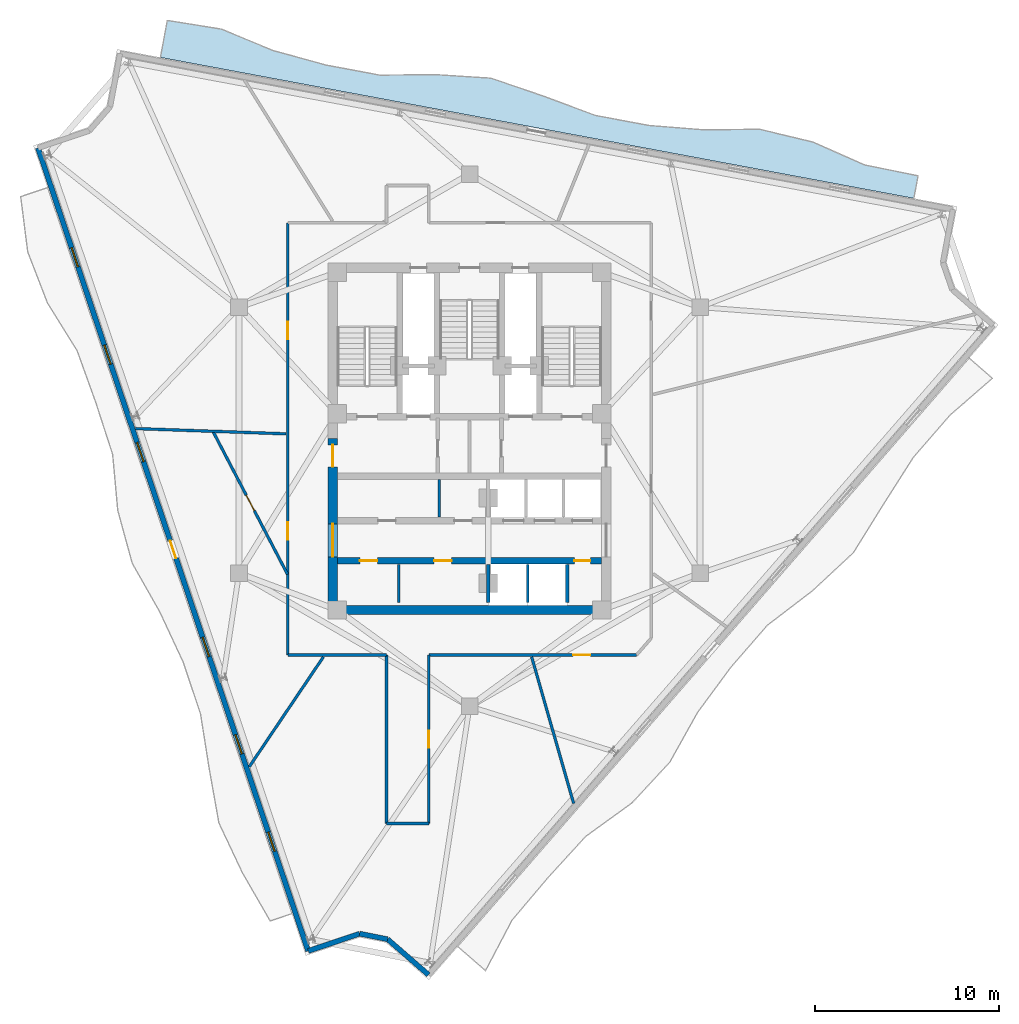
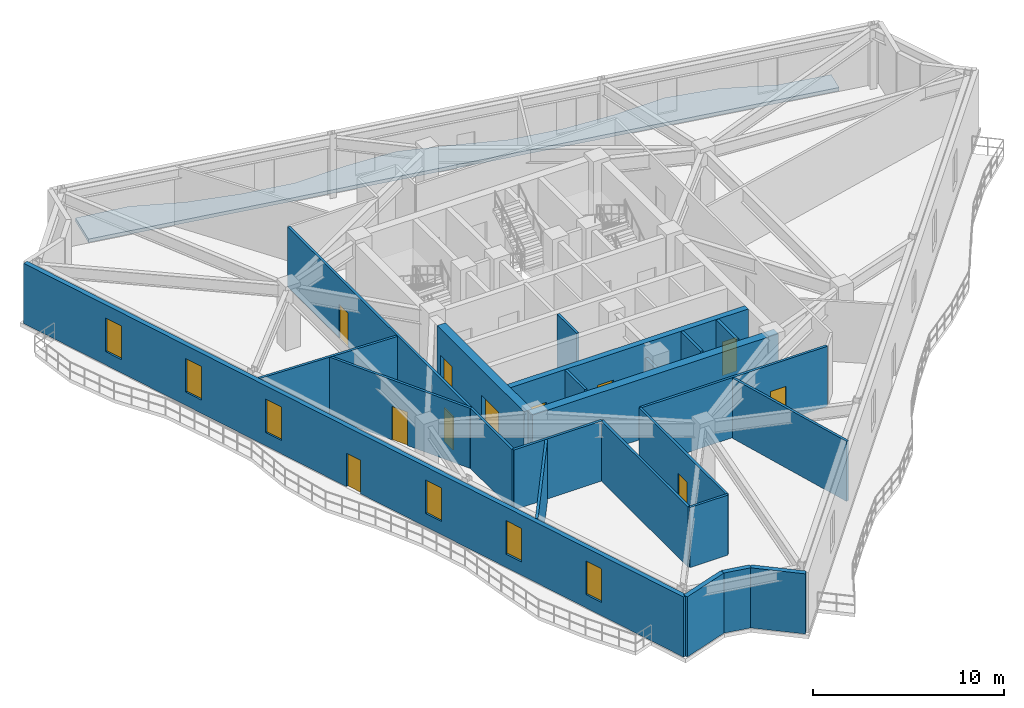
# One storey, part 4 of 9: 22 walls, 11 doors, 6 windows, 1 slab, 17 openings.
"""IFC4 building model written with IfcOpenShell, lengths in metres."""

import ifcopenshell
import ifcopenshell.guid

model = None  # the IFC model being written
_history = None  # IfcOwnerHistory: only IFC2X3 demands one
_inside = {}  # id of a spatial element -> (the spatial element, [elements in it])
_under = {}  # id of a project, library or spatial element -> (it, [spatial elements below it])
_declared = {}  # id of a project -> (the project, [libraries it declares])
_typed = {}  # id of a type object -> (the type object, [elements of that type])
_made_of = {}  # id of a material, layer set ... -> (it, [elements and type objects made of it])


def new_model(schema):
    """Start an empty IFC model of exactly this schema.

    Asked for "IFC4X3", IfcOpenShell would pick the latest addendum, in which some entities
    have other attributes; the version numbers below select the first issue.
    IFC2X3 requires an IfcOwnerHistory on every rooted entity: one is made here for all.
    """
    global model, _history
    if schema == "IFC4X3":
        model = ifcopenshell.file(schema_version=(4, 3, 0, 0))
    else:
        model = ifcopenshell.file(schema=schema)
    _inside.clear()
    _under.clear()
    _declared.clear()
    _typed.clear()
    _made_of.clear()
    _history = None
    if model.schema == "IFC2X3":
        org = make("IfcOrganization", Name="unknown")
        user = make(
            "IfcPersonAndOrganization",
            ThePerson=make("IfcPerson", FamilyName="unknown"),
            TheOrganization=org,
        )
        app = make(
            "IfcApplication",
            ApplicationDeveloper=org,
            Version="unknown",
            ApplicationFullName="unknown",
            ApplicationIdentifier="unknown",
        )
        _history = make(
            "IfcOwnerHistory",
            OwningUser=user,
            OwningApplication=app,
            ChangeAction="ADDED",
            CreationDate=0,
        )
    return model


def make(cls, **values):
    """One entity of the class cls with the attributes given. An attribute that is None is left unset."""
    return model.create_entity(
        cls, **{name: value for name, value in values.items() if value is not None}
    )


def rooted(cls, **values):
    """An entity with a GlobalId (a new one), such as an element, a storey or a relation."""
    return make(cls, GlobalId=ifcopenshell.guid.new(), OwnerHistory=_history, **values)


def si_unit(unit_type, name, prefix=None):
    """IfcSIUnit, for example si_unit("LENGTHUNIT", "METRE", prefix="MILLI")."""
    return make("IfcSIUnit", UnitType=unit_type, Prefix=prefix, Name=name)


def assignment(units):
    """IfcUnitAssignment: the units of a project."""
    return None if units is None else make("IfcUnitAssignment", Units=units)


def point(xyz):
    """IfcCartesianPoint."""
    return None if xyz is None else make("IfcCartesianPoint", Coordinates=xyz)


def direction(xyz):
    """IfcDirection."""
    return None if xyz is None else make("IfcDirection", DirectionRatios=xyz)


def frame(location, z_axis=None, x_axis=None):
    """IfcAxis2Placement3D, a coordinate frame: its origin and axes. An axis left out is left unset."""
    return make(
        "IfcAxis2Placement3D",
        Location=point(location),
        Axis=direction(z_axis),
        RefDirection=direction(x_axis),
    )


def frame_2d(location, x_axis=None):
    """IfcAxis2Placement2D, a coordinate frame in the plane: its origin and x axis."""
    return make(
        "IfcAxis2Placement2D", Location=point(location), RefDirection=direction(x_axis)
    )


def origin():
    """The frame at (0, 0, 0) with its axes left unset."""
    return frame((0.0, 0.0, 0.0))


def place(relative_to, where):
    """IfcLocalPlacement: puts the frame where relative to a parent placement (None: the world)."""
    return make(
        "IfcLocalPlacement", PlacementRelTo=relative_to, RelativePlacement=where
    )


def context(
    kind, dimensions, precision=None, world=None, true_north=None, identifier=None
):
    """IfcGeometricRepresentationContext, for example the 3D "Model" context."""
    return make(
        "IfcGeometricRepresentationContext",
        ContextIdentifier=identifier,
        ContextType=kind,
        CoordinateSpaceDimension=dimensions,
        Precision=precision,
        WorldCoordinateSystem=world,
        TrueNorth=true_north,
    )


def subcontext(parent, identifier, kind, view, scale=None):
    """IfcGeometricRepresentationSubContext, for example "Body" below "Model"."""
    return make(
        "IfcGeometricRepresentationSubContext",
        ContextIdentifier=identifier,
        ContextType=kind,
        ParentContext=parent,
        TargetScale=scale,
        TargetView=view,
    )


def project(units=None, contexts=None):
    """IfcProject with its units and contexts."""
    return rooted(
        "IfcProject",
        Name="project",
        RepresentationContexts=contexts,
        UnitsInContext=assignment(units),
    )


def spatial(cls, under=None, at=None, **own):
    """A site, building, storey or space (cls), placed at a placement, below another one or the project."""
    s = rooted(cls, ObjectPlacement=at, **own)
    if under is not None:
        _under.setdefault(under.id(), (under, []))[1].append(s)
    return s


def polyline(points):
    """IfcPolyline through the points."""
    return make("IfcPolyline", Points=[point(p) for p in points])


def profile(cls, at=None, kind="AREA", **sizes):
    """A parametric profile (cls). Its sizes go by their IFC names, for example OverallWidth=200.0."""
    return make(cls, ProfileType=kind, Position=at, **sizes)


def rectangle(**sizes):
    """IfcRectangleProfileDef."""
    return profile("IfcRectangleProfileDef", **sizes)


def outline(outer, holes=None, kind="AREA"):
    """IfcArbitraryClosedProfileDef: a profile drawn as a closed curve; with holes, ...WithVoids."""
    if holes is None:
        return make("IfcArbitraryClosedProfileDef", ProfileType=kind, OuterCurve=outer)
    return make(
        "IfcArbitraryProfileDefWithVoids",
        ProfileType=kind,
        OuterCurve=outer,
        InnerCurves=holes,
    )


def extrude(swept, where, along, depth):
    """IfcExtrudedAreaSolid: the profile swept, set in the frame where, extruded along a direction by depth."""
    return make(
        "IfcExtrudedAreaSolid",
        SweptArea=swept,
        Position=where,
        ExtrudedDirection=direction(along),
        Depth=depth,
    )


def shape(context_of_items, identifier, shape_type, items):
    """IfcShapeRepresentation: the items that make up one representation, for example the "Body"."""
    return make(
        "IfcShapeRepresentation",
        ContextOfItems=context_of_items,
        RepresentationIdentifier=identifier,
        RepresentationType=shape_type,
        Items=items,
    )


def material(Name=None, Category=None):
    """IfcMaterial."""
    return make("IfcMaterial", Name=Name, Category=Category)


def layer(
    of_material, thickness, ventilated=None, Name=None, Category=None, Priority=None
):
    """IfcMaterialLayer: one layer of a wall or slab, of a material (None: an air gap)."""
    return make(
        "IfcMaterialLayer",
        Material=of_material,
        LayerThickness=thickness,
        IsVentilated=ventilated,
        Name=Name,
        Category=Category,
        Priority=Priority,
    )


def layer_set(layers, Name=None):
    """IfcMaterialLayerSet."""
    return make("IfcMaterialLayerSet", MaterialLayers=layers, LayerSetName=Name)


def made_of(thing, what):
    """Note that an element or type object is made of a material, layer set ...; save() writes the relation."""
    if what is not None:
        _made_of.setdefault(what.id(), (what, []))[1].append(thing)
    return thing


def type_object(cls, material=None, **own):
    """A type object (cls), such as IfcWallType, which elements share."""
    return made_of(rooted(cls, **own), material)


def element(
    cls,
    number,
    at=None,
    inside=None,
    cuts=None,
    type_object=None,
    material=None,
    context=None,
    identifier="Body",
    shape_type=None,
    held_by="IfcProductDefinitionShape",
    body=None,
    shapes=None,
    **own,
):
    """One element of the class cls, such as IfcWall. Its Tag is "e" and its number.

    at: its placement. inside: the storey or other place that contains it. cuts: it is an
    opening in that element (IfcRelVoidsElement). A single representation is given by context,
    identifier, shape_type and body (its items); several are given by shapes. held_by: the class
    of the entity that holds the representations. save() writes the other relations.
    """
    e = rooted(cls, Tag="e%d" % number, ObjectPlacement=at, **own)
    if body is not None:
        shapes = [shape(context, identifier, shape_type, body)]
    if shapes is not None:
        e.Representation = make(held_by, Representations=shapes)
    if inside is not None:
        _inside.setdefault(inside.id(), (inside, []))[1].append(e)
    if cuts is not None:
        rooted(
            "IfcRelVoidsElement", RelatingBuildingElement=cuts, RelatedOpeningElement=e
        )
    if type_object is not None:
        _typed.setdefault(type_object.id(), (type_object, []))[1].append(e)
    return made_of(e, material)


def fill(opening, filler):
    """IfcRelFillsElement: the door or window that sits in an opening."""
    return rooted(
        "IfcRelFillsElement",
        RelatingOpeningElement=opening,
        RelatedBuildingElement=filler,
    )


def aggregate(whole, parts):
    """IfcRelAggregates: a whole, such as a stair, and the parts it consists of."""
    return rooted("IfcRelAggregates", RelatingObject=whole, RelatedObjects=parts)


def save(model, path):
    """Write the relations noted so far, then the file.

    IfcRelAggregates (storeys below a building ...), IfcRelContainedInSpatialStructure (elements
    in a storey), IfcRelDefinesByType, IfcRelAssociatesMaterial and IfcRelDeclares: one each for
    every whole, place, type object, material and project.
    """
    for whole, parts in _under.values():
        aggregate(whole, parts)
    for where, things in _inside.values():
        rooted(
            "IfcRelContainedInSpatialStructure",
            RelatedElements=things,
            RelatingStructure=where,
        )
    for kind, things in _typed.values():
        rooted("IfcRelDefinesByType", RelatedObjects=things, RelatingType=kind)
    for what, things in _made_of.values():
        rooted("IfcRelAssociatesMaterial", RelatedObjects=things, RelatingMaterial=what)
    for by, libraries in _declared.values():
        rooted("IfcRelDeclares", RelatingContext=by, RelatedDefinitions=libraries)
    model.write(path)


model = new_model("IFC4")

# Units and contexts
model_context = context("Model", 3, precision=1e-05, world=origin(), true_north=direction((0.0, 1.0)))
body_context = subcontext(model_context, "Body", "Model", "MODEL_VIEW")
ifc_project = project(units=[si_unit("LENGTHUNIT", "METRE"), si_unit("AREAUNIT", "SQUARE_METRE"), si_unit("VOLUMEUNIT", "CUBIC_METRE"), si_unit("PLANEANGLEUNIT", "RADIAN"), si_unit("MASSUNIT", "GRAM", prefix="KILO")], contexts=[model_context])

# Site, building, storey
site_placement = place(None, origin())
site = spatial("IfcSite", under=ifc_project, at=site_placement, CompositionType="ELEMENT")
building_placement = place(site_placement, origin())
building = spatial("IfcBuilding", under=site, at=building_placement, Name="Apsidion Concourse Tower", CompositionType="ELEMENT")
storey_placement = place(building_placement, frame((0.0, 0.0, 273.699951171875)))
storey = spatial("IfcBuildingStorey", under=building, at=storey_placement, Name="L64", CompositionType="ELEMENT", Elevation=273.699951171875)

# Slab
ifc_material_1 = material(Name="Concrete C50/60", Category="concrete")
ifc_layer_1 = layer(ifc_material_1, 0.219970703125)
ifc_layer_set_1 = layer_set([ifc_layer_1], Name="Concrete C50/60")
slab_type = type_object("IfcSlabType", Name="SL-BAL-220", PredefinedType="FLOOR", material=ifc_layer_set_1)
slab_placement = place(storey_placement, frame((0.0, 0.0, -0.219970703125)))
element("IfcSlab", 1, at=slab_placement, inside=storey, type_object=slab_type, Name="L64 Face 3 Rippling Balcony Slab", PredefinedType="FLOOR", context=body_context, shape_type="SweptSolid", body=[
    extrude(outline(polyline([(24.208251953125, 13.178955078125), (21.276123046875, 13.7275390625), (18.343994140625, 14.27587890625), (15.41162109375, 14.824462890625), (12.4794921875, 15.373046875), (9.54736328125, 15.921630859375), (6.615234375, 16.47021484375), (3.68310546875, 17.018798828125), (0.750732421875, 17.567138671875), (-2.181396484375, 18.11572265625), (-5.113525390625, 18.664306640625), (-8.045654296875, 19.212890625), (-10.977783203125, 19.761474609375), (-13.91015625, 20.309814453125), (-16.84228515625, 20.8583984375), (-16.465087890625, 22.873779296875), (-13.51904296875, 22.400390625), (-10.702392578125, 21.23388671875), (-7.81591796875, 20.44140625), (-4.8837890625, 19.89306640625), (-1.843994140625, 19.918701171875), (1.1552734375, 19.728759765625), (4.008544921875, 18.759033203125), (6.844970703125, 17.69873046875), (9.777099609375, 17.150390625), (12.767578125, 16.913818359375), (15.80810546875, 16.943115234375), (18.71240234375, 16.245361328125), (21.5146484375, 15.002685546875), (24.43798828125, 14.40771484375), (24.208251953125, 13.178955078125)])), origin(), (0.0, 0.0, 1.0), 0.219970703125),
])

# Walls
ifc_material_2 = material(Name="Precast concrete C40/50", Category="concrete")
ifc_layer_2 = layer(ifc_material_2, 0.280029296875)
ifc_layer_set_2 = layer_set([ifc_layer_2], Name="Precast concrete C40/50")
wall_type_1 = type_object("IfcWallType", Name="WL-EXT-280", PredefinedType="STANDARD", material=ifc_layer_set_2)
wall_1_placement = place(storey_placement, frame((-2.235595703125, -29.126220703125, 0.0), z_axis=(0.0, 0.0, 1.0), x_axis=(-0.754753154029, 0.656008899698, 0.0)))
element("IfcWall", 2, at=wall_1_placement, inside=storey, type_object=wall_type_1, Name="L64 Precast Stone Facade Wall 06", PredefinedType="STANDARD", context=body_context, shape_type="SweptSolid", body=[
    extrude(rectangle(XDim=2.95458984375, YDim=0.280029296875, at=frame_2d((1.477294921875, 0.0))), origin(), (0.0, 0.0, 1.0), 3.85009765625),
])
wall_2_placement = place(storey_placement, frame((-4.465576171875, -27.18798828125, 0.0), z_axis=(0.0, 0.0, 1.0), x_axis=(-0.980935552899, 0.194333324621, 0.0)))
element("IfcWall", 3, at=wall_2_placement, inside=storey, type_object=wall_type_1, Name="L64 Precast Stone Facade Wall 07", PredefinedType="STANDARD", context=body_context, shape_type="SweptSolid", body=[
    extrude(rectangle(XDim=1.553955078125, YDim=0.280029296875, at=frame_2d((0.77685546875, 0.0))), origin(), (0.0, 0.0, 1.0), 3.85009765625),
])
wall_3_placement = place(storey_placement, frame((-5.989990234375, -26.885986328125, 0.0), z_axis=(0.0, 0.0, 1.0), x_axis=(-0.947795421507, -0.318879035013, 0.0)))
element("IfcWall", 4, at=wall_3_placement, inside=storey, type_object=wall_type_1, Name="L64 Precast Stone Facade Wall 08", PredefinedType="STANDARD", context=body_context, shape_type="SweptSolid", body=[
    extrude(rectangle(XDim=2.95458984375, YDim=0.280029296875, at=frame_2d((1.477294921875, 0.0))), origin(), (0.0, 0.0, 1.0), 3.85009765625),
])

# Wall, openings, door, windows
wall_4_placement = place(storey_placement, frame((-8.790283203125, -27.828125, 0.0), z_axis=(0.0, 0.0, 1.0), x_axis=(-0.318898365887, 0.947788917552, 0.0)))
wall_4 = element("IfcWall", 5, at=wall_4_placement, inside=storey, type_object=wall_type_1, Name="L64 Precast Stone Facade Wall 09", PredefinedType="STANDARD", context=body_context, shape_type="SweptSolid", body=[
    extrude(rectangle(XDim=46.16259765625, YDim=0.280029296875, at=frame_2d((23.081298828125, 0.0))), origin(), (0.0, 0.0, 1.0), 3.85009765625),
])
opening_1_placement = place(wall_4_placement, frame((22.581298828125, 0.0, 0.0)))
opening_1 = element("IfcOpeningElement", 6, at=opening_1_placement, cuts=wall_4, Name="Opening D-T1L", PredefinedType="OPENING", context=body_context, shape_type="SweptSolid", body=[
    extrude(rectangle(XDim=1.0, YDim=2.14990234375, at=frame_2d((0.5, 1.074951171875))), frame((0.0, 0.14990234375, 0.0), z_axis=(0.0, -1.0, 0.0), x_axis=(1.0, 0.0, 0.0)), (0.0, 0.0, 1.0), 0.300048828125),
])
opening_2_placement = place(wall_4_placement, frame((5.731201171875, 0.0, 0.85009765625)))
opening_2 = element("IfcOpeningElement", 7, at=opening_2_placement, cuts=wall_4, Name="Opening WN-07", PredefinedType="OPENING", context=body_context, shape_type="SweptSolid", body=[
    extrude(rectangle(XDim=1.10009765625, YDim=2.14990234375, at=frame_2d((0.550048828125, 1.074951171875))), frame((0.0, 0.14990234375, 0.0), z_axis=(0.0, -1.0, 0.0), x_axis=(1.0, 0.0, 0.0)), (0.0, 0.0, 1.0), 0.300048828125),
])
opening_3_placement = place(wall_4_placement, frame((11.331298828125, 0.0, 0.85009765625)))
opening_3 = element("IfcOpeningElement", 8, at=opening_3_placement, cuts=wall_4, Name="Opening WN-07", PredefinedType="OPENING", context=body_context, shape_type="SweptSolid", body=[
    extrude(rectangle(XDim=1.10009765625, YDim=2.14990234375, at=frame_2d((0.550048828125, 1.074951171875))), frame((0.0, 0.14990234375, 0.0), z_axis=(0.0, -1.0, 0.0), x_axis=(1.0, 0.0, 0.0)), (0.0, 0.0, 1.0), 0.300048828125),
])
opening_4_placement = place(wall_4_placement, frame((16.931396484375, 0.0, 0.85009765625)))
opening_4 = element("IfcOpeningElement", 9, at=opening_4_placement, cuts=wall_4, Name="Opening WN-07", PredefinedType="OPENING", context=body_context, shape_type="SweptSolid", body=[
    extrude(rectangle(XDim=1.10009765625, YDim=2.14990234375, at=frame_2d((0.550048828125, 1.074951171875))), frame((0.0, 0.14990234375, 0.0), z_axis=(0.0, -1.0, 0.0), x_axis=(1.0, 0.0, 0.0)), (0.0, 0.0, 1.0), 0.300048828125),
])
opening_5_placement = place(wall_4_placement, frame((28.13134765625, 0.0, 0.85009765625)))
opening_5 = element("IfcOpeningElement", 10, at=opening_5_placement, cuts=wall_4, Name="Opening WN-07", PredefinedType="OPENING", context=body_context, shape_type="SweptSolid", body=[
    extrude(rectangle(XDim=1.10009765625, YDim=2.14990234375, at=frame_2d((0.550048828125, 1.074951171875))), frame((0.0, 0.14990234375, 0.0), z_axis=(0.0, -1.0, 0.0), x_axis=(1.0, 0.0, 0.0)), (0.0, 0.0, 1.0), 0.300048828125),
])
opening_6_placement = place(wall_4_placement, frame((33.731201171875, 0.0, 0.85009765625)))
opening_6 = element("IfcOpeningElement", 11, at=opening_6_placement, cuts=wall_4, Name="Opening WN-07", PredefinedType="OPENING", context=body_context, shape_type="SweptSolid", body=[
    extrude(rectangle(XDim=1.10009765625, YDim=2.14990234375, at=frame_2d((0.550048828125, 1.074951171875))), frame((0.0, 0.14990234375, 0.0), z_axis=(0.0, -1.0, 0.0), x_axis=(1.0, 0.0, 0.0)), (0.0, 0.0, 1.0), 0.300048828125),
])
opening_7_placement = place(wall_4_placement, frame((39.331298828125, 0.0, 0.85009765625)))
opening_7 = element("IfcOpeningElement", 12, at=opening_7_placement, cuts=wall_4, Name="Opening WN-07", PredefinedType="OPENING", context=body_context, shape_type="SweptSolid", body=[
    extrude(rectangle(XDim=1.10009765625, YDim=2.14990234375, at=frame_2d((0.550048828125, 1.074951171875))), frame((0.0, 0.14990234375, 0.0), z_axis=(0.0, -1.0, 0.0), x_axis=(1.0, 0.0, 0.0)), (0.0, 0.0, 1.0), 0.300048828125),
])
ifc_material_3 = material(Name="Anodised aluminium EN AW-6063 T6", Category="aluminium")
door_type_1 = type_object("IfcDoorType", Name="DR-TER-1022L", OperationType="SINGLE_SWING_LEFT", PredefinedType="DOOR", material=ifc_material_3)
door_1_placement = place(opening_1_placement, origin())
door_1 = element("IfcDoor", 13, at=door_1_placement, inside=storey, type_object=door_type_1, Name="L64 Balcony Access Door 1", OperationType="SINGLE_SWING_LEFT", OverallHeight=2.14990234375, OverallWidth=1.0, PredefinedType="DOOR", context=body_context, shape_type="SweptSolid", body=[
    extrude(rectangle(XDim=1.0, YDim=2.14990234375, at=frame_2d((0.5, 1.074951171875))), frame((0.0, 0.02490234375, 0.0), z_axis=(0.0, -1.0, 0.0), x_axis=(1.0, 0.0, 0.0)), (0.0, 0.0, 1.0), 0.050048828125),
])
fill(opening_1, door_1)
ifc_material_4 = material(Name="Insulated laminated low-E glass", Category="glass")
window_type = type_object("IfcWindowType", Name="WN-OFF-1123", PartitioningType="SINGLE_PANEL", PredefinedType="WINDOW", material=ifc_material_4)
window_1_placement = place(opening_2_placement, origin())
window_1 = element("IfcWindow", 14, at=window_1_placement, inside=storey, type_object=window_type, Name="L64 Punched Facade Window 9-01", OverallHeight=2.14990234375, OverallWidth=1.10009765625, PartitioningType="SINGLE_PANEL", PredefinedType="WINDOW", context=body_context, shape_type="SweptSolid", body=[
    extrude(rectangle(XDim=1.10009765625, YDim=2.14990234375, at=frame_2d((0.550048828125, 1.074951171875))), frame((0.0, 0.030029296875, 0.0), z_axis=(0.0, -1.0, 0.0), x_axis=(1.0, 0.0, 0.0)), (0.0, 0.0, 1.0), 0.06005859375),
])
fill(opening_2, window_1)
window_2_placement = place(opening_3_placement, origin())
window_2 = element("IfcWindow", 15, at=window_2_placement, inside=storey, type_object=window_type, Name="L64 Punched Facade Window 9-02", OverallHeight=2.14990234375, OverallWidth=1.10009765625, PartitioningType="SINGLE_PANEL", PredefinedType="WINDOW", context=body_context, shape_type="SweptSolid", body=[
    extrude(rectangle(XDim=1.10009765625, YDim=2.14990234375, at=frame_2d((0.550048828125, 1.074951171875))), frame((0.0, 0.030029296875, 0.0), z_axis=(0.0, -1.0, 0.0), x_axis=(1.0, 0.0, 0.0)), (0.0, 0.0, 1.0), 0.06005859375),
])
fill(opening_3, window_2)
window_3_placement = place(opening_4_placement, origin())
window_3 = element("IfcWindow", 16, at=window_3_placement, inside=storey, type_object=window_type, Name="L64 Punched Facade Window 9-03", OverallHeight=2.14990234375, OverallWidth=1.10009765625, PartitioningType="SINGLE_PANEL", PredefinedType="WINDOW", context=body_context, shape_type="SweptSolid", body=[
    extrude(rectangle(XDim=1.10009765625, YDim=2.14990234375, at=frame_2d((0.550048828125, 1.074951171875))), frame((0.0, 0.030029296875, 0.0), z_axis=(0.0, -1.0, 0.0), x_axis=(1.0, 0.0, 0.0)), (0.0, 0.0, 1.0), 0.06005859375),
])
fill(opening_4, window_3)
window_4_placement = place(opening_5_placement, origin())
window_4 = element("IfcWindow", 17, at=window_4_placement, inside=storey, type_object=window_type, Name="L64 Punched Facade Window 9-05", OverallHeight=2.14990234375, OverallWidth=1.10009765625, PartitioningType="SINGLE_PANEL", PredefinedType="WINDOW", context=body_context, shape_type="SweptSolid", body=[
    extrude(rectangle(XDim=1.10009765625, YDim=2.14990234375, at=frame_2d((0.550048828125, 1.074951171875))), frame((0.0, 0.030029296875, 0.0), z_axis=(0.0, -1.0, 0.0), x_axis=(1.0, 0.0, 0.0)), (0.0, 0.0, 1.0), 0.06005859375),
])
fill(opening_5, window_4)
window_5_placement = place(opening_6_placement, origin())
window_5 = element("IfcWindow", 18, at=window_5_placement, inside=storey, type_object=window_type, Name="L64 Punched Facade Window 9-06", OverallHeight=2.14990234375, OverallWidth=1.10009765625, PartitioningType="SINGLE_PANEL", PredefinedType="WINDOW", context=body_context, shape_type="SweptSolid", body=[
    extrude(rectangle(XDim=1.10009765625, YDim=2.14990234375, at=frame_2d((0.550048828125, 1.074951171875))), frame((0.0, 0.030029296875, 0.0), z_axis=(0.0, -1.0, 0.0), x_axis=(1.0, 0.0, 0.0)), (0.0, 0.0, 1.0), 0.06005859375),
])
fill(opening_6, window_5)
window_6_placement = place(opening_7_placement, origin())
window_6 = element("IfcWindow", 19, at=window_6_placement, inside=storey, type_object=window_type, Name="L64 Punched Facade Window 9-07", OverallHeight=2.14990234375, OverallWidth=1.10009765625, PartitioningType="SINGLE_PANEL", PredefinedType="WINDOW", context=body_context, shape_type="SweptSolid", body=[
    extrude(rectangle(XDim=1.10009765625, YDim=2.14990234375, at=frame_2d((0.550048828125, 1.074951171875))), frame((0.0, 0.030029296875, 0.0), z_axis=(0.0, -1.0, 0.0), x_axis=(1.0, 0.0, 0.0)), (0.0, 0.0, 1.0), 0.06005859375),
])
fill(opening_7, window_6)

# Walls
ifc_material_5 = material(Name="Gypsum plasterboard partition")
ifc_layer_3 = layer(ifc_material_5, 0.14990234375)
ifc_layer_set_3 = layer_set([ifc_layer_3], Name="Gypsum plasterboard partition")
wall_type_2 = type_object("IfcWallType", Name="WL-INT-PAR-150", PredefinedType="PARTITIONING", material=ifc_layer_set_3)
wall_5_placement = place(storey_placement, frame((-1.64990234375, -4.179931640625, 0.0), z_axis=(0.0, 0.0, 1.0), x_axis=(0.0, 1.0, 0.0)))
element("IfcWall", 20, at=wall_5_placement, inside=storey, type_object=wall_type_2, Name="L64 Interior Partition WL-L64-B1RV1", PredefinedType="PARTITIONING", context=body_context, shape_type="SweptSolid", body=[
    extrude(rectangle(XDim=2.030029296875, YDim=0.14990234375, at=frame_2d((1.01513671875, 0.0))), origin(), (0.0, 0.0, 1.0), 3.85009765625),
])
for number, where, z_axis, x_axis, name in (
    (21, (-3.85009765625, -8.85009765625, 0.0), (0.0, 0.0, 1.0), (0.0, 1.0, 0.0), "L64 Interior Partition WL-L64-B2RV1"),
    (22, (3.175048828125, -8.85009765625, 0.0), (0.0, 0.0, 1.0), (0.0, 1.0, 0.0), "L64 Interior Partition WL-L64-SHDIV-1"),
):
    element("IfcWall", number, at=place(storey_placement, frame(where, z_axis=z_axis, x_axis=x_axis)), inside=storey, type_object=wall_type_2, Name=name, PredefinedType="PARTITIONING", context=body_context, shape_type="SweptSolid", body=[
        extrude(rectangle(XDim=2.080078125, YDim=0.14990234375, at=frame_2d((1.0400390625, 0.0))), origin(), (0.0, 0.0, 1.0), 3.85009765625),
    ])
wall_6_placement = place(storey_placement, frame((-4.530029296875, -11.699951171875, 0.0), z_axis=(0.0, 0.0, 1.0), x_axis=(-1.0, 0.0, 0.0)))
element("IfcWall", 23, at=wall_6_placement, inside=storey, type_object=wall_type_2, Name="L64 Interior Partition WL-L64-CORR-01", PredefinedType="PARTITIONING", context=body_context, shape_type="SweptSolid", body=[
    extrude(rectangle(XDim=5.369873046875, YDim=0.14990234375, at=frame_2d((2.68505859375, 0.0))), origin(), (0.0, 0.0, 1.0), 3.85009765625),
])

# Wall, openings, doors
wall_7_placement = place(storey_placement, frame((-9.89990234375, -11.699951171875, 0.0), z_axis=(0.0, 0.0, 1.0), x_axis=(0.0, 1.0, 0.0)))
wall_7 = element("IfcWall", 24, at=wall_7_placement, inside=storey, type_object=wall_type_2, Name="L64 Interior Partition WL-L64-CORR-02", PredefinedType="PARTITIONING", context=body_context, shape_type="SweptSolid", body=[
    extrude(rectangle(XDim=23.550048828125, YDim=0.14990234375, at=frame_2d((11.77490234375, 0.0))), origin(), (0.0, 0.0, 1.0), 3.85009765625),
])
opening_8_placement = place(wall_7_placement, frame((6.2763671875, 0.0, 0.0)))
opening_8 = element("IfcOpeningElement", 25, at=opening_8_placement, cuts=wall_7, Name="Opening D-01L", PredefinedType="OPENING", context=body_context, shape_type="SweptSolid", body=[
    extrude(rectangle(XDim=0.949951171875, YDim=2.14990234375, at=frame_2d((0.47509765625, 1.074951171875))), frame((0.0, 0.0849609375, 0.0), z_axis=(0.0, -1.0, 0.0), x_axis=(1.0, 0.0, 0.0)), (0.0, 0.0, 1.0), 0.169921875),
])
opening_9_placement = place(wall_7_placement, frame((17.197021484375, 0.0, 0.0)))
opening_9 = element("IfcOpeningElement", 26, at=opening_9_placement, cuts=wall_7, Name="Opening D-01L", PredefinedType="OPENING", context=body_context, shape_type="SweptSolid", body=[
    extrude(rectangle(XDim=0.949951171875, YDim=2.14990234375, at=frame_2d((0.47509765625, 1.074951171875))), frame((0.0, 0.0849609375, 0.0), z_axis=(0.0, -1.0, 0.0), x_axis=(1.0, 0.0, 0.0)), (0.0, 0.0, 1.0), 0.169921875),
])
ifc_material_6 = material(Name="Brushed stainless steel 316", Category="steel")
door_type_2 = type_object("IfcDoorType", Name="DR-INT-D01L", OperationType="SINGLE_SWING_LEFT", PredefinedType="DOOR", material=ifc_material_6)
door_2_placement = place(opening_8_placement, origin())
door_2 = element("IfcDoor", 27, at=door_2_placement, inside=storey, type_object=door_type_2, Name="L64 Corridor Entry Door 01", OperationType="SINGLE_SWING_LEFT", OverallHeight=2.14990234375, OverallWidth=0.949951171875, PredefinedType="DOOR", context=body_context, shape_type="SweptSolid", body=[
    extrude(rectangle(XDim=0.949951171875, YDim=2.14990234375, at=frame_2d((0.47509765625, 1.074951171875))), frame((0.0, 0.02490234375, 0.0), z_axis=(0.0, -1.0, 0.0), x_axis=(1.0, 0.0, 0.0)), (0.0, 0.0, 1.0), 0.050048828125),
])
fill(opening_8, door_2)
door_3_placement = place(opening_9_placement, origin())
door_3 = element("IfcDoor", 28, at=door_3_placement, inside=storey, type_object=door_type_2, Name="L64 Corridor Entry Door 07", OperationType="SINGLE_SWING_LEFT", OverallHeight=2.14990234375, OverallWidth=0.949951171875, PredefinedType="DOOR", context=body_context, shape_type="SweptSolid", body=[
    extrude(rectangle(XDim=0.949951171875, YDim=2.14990234375, at=frame_2d((0.47509765625, 1.074951171875))), frame((0.0, 0.02490234375, 0.0), z_axis=(0.0, -1.0, 0.0), x_axis=(1.0, 0.0, 0.0)), (0.0, 0.0, 1.0), 0.050048828125),
])
fill(opening_9, door_3)

# Wall, opening, door
wall_8_placement = place(storey_placement, frame((9.103271484375, -11.699951171875, 0.0), z_axis=(0.0, 0.0, 1.0), x_axis=(-1.0, 0.0, 0.0)))
wall_8 = element("IfcWall", 29, at=wall_8_placement, inside=storey, type_object=wall_type_2, Name="L64 Interior Partition WL-L64-CORR-10", PredefinedType="PARTITIONING", context=body_context, shape_type="SweptSolid", body=[
    extrude(rectangle(XDim=11.3232421875, YDim=0.14990234375, at=frame_2d((5.66162109375, 0.0))), origin(), (0.0, 0.0, 1.0), 3.85009765625),
])
opening_10_placement = place(wall_8_placement, frame((2.51318359375, 0.0, 0.0)))
opening_10 = element("IfcOpeningElement", 30, at=opening_10_placement, cuts=wall_8, Name="Opening D-01L", PredefinedType="OPENING", context=body_context, shape_type="SweptSolid", body=[
    extrude(rectangle(XDim=0.949951171875, YDim=2.14990234375, at=frame_2d((0.47509765625, 1.074951171875))), frame((0.0, 0.0849609375, 0.0), z_axis=(0.0, -1.0, 0.0), x_axis=(1.0, 0.0, 0.0)), (0.0, 0.0, 1.0), 0.169921875),
])
door_4_placement = place(opening_10_placement, origin())
door_4 = element("IfcDoor", 31, at=door_4_placement, inside=storey, type_object=door_type_2, Name="L64 Corridor Entry Door 03", OperationType="SINGLE_SWING_LEFT", OverallHeight=2.14990234375, OverallWidth=0.949951171875, PredefinedType="DOOR", context=body_context, shape_type="SweptSolid", body=[
    extrude(rectangle(XDim=0.949951171875, YDim=2.14990234375, at=frame_2d((0.47509765625, 1.074951171875))), frame((0.0, 0.02490234375, 0.0), z_axis=(0.0, -1.0, 0.0), x_axis=(1.0, 0.0, 0.0)), (0.0, 0.0, 1.0), 0.050048828125),
])
fill(opening_10, door_4)

wall_9_placement = place(storey_placement, frame((-2.219970703125, -11.699951171875, 0.0), z_axis=(0.0, 0.0, 1.0), x_axis=(0.0, -1.0, 0.0)))
wall_9 = element("IfcWall", 32, at=wall_9_placement, inside=storey, type_object=wall_type_2, Name="L64 Interior Partition WL-L64-CORR-11", PredefinedType="PARTITIONING", context=body_context, shape_type="SweptSolid", body=[
    extrude(rectangle(XDim=9.179931640625, YDim=0.14990234375, at=frame_2d((4.58984375, 0.0))), origin(), (0.0, 0.0, 1.0), 3.85009765625),
])
opening_11_placement = place(wall_9_placement, frame((4.114990234375, 0.0, 0.0)))
opening_11 = element("IfcOpeningElement", 33, at=opening_11_placement, cuts=wall_9, Name="Opening D-01R", PredefinedType="OPENING", context=body_context, shape_type="SweptSolid", body=[
    extrude(rectangle(XDim=0.949951171875, YDim=2.14990234375, at=frame_2d((0.47509765625, 1.074951171875))), frame((0.0, 0.0849609375, 0.0), z_axis=(0.0, -1.0, 0.0), x_axis=(1.0, 0.0, 0.0)), (0.0, 0.0, 1.0), 0.169921875),
])
door_type_3 = type_object("IfcDoorType", Name="DR-INT-D01R", OperationType="SINGLE_SWING_RIGHT", PredefinedType="DOOR", material=ifc_material_6)
door_5_placement = place(opening_11_placement, origin())
door_5 = element("IfcDoor", 34, at=door_5_placement, inside=storey, type_object=door_type_3, Name="L64 Corridor Entry Door 02", OperationType="SINGLE_SWING_RIGHT", OverallHeight=2.14990234375, OverallWidth=0.949951171875, PredefinedType="DOOR", context=body_context, shape_type="SweptSolid", body=[
    extrude(rectangle(XDim=0.949951171875, YDim=2.14990234375, at=frame_2d((0.47509765625, 1.074951171875))), frame((0.0, 0.02490234375, 0.0), z_axis=(0.0, -1.0, 0.0), x_axis=(1.0, 0.0, 0.0)), (0.0, 0.0, 1.0), 0.050048828125),
])
fill(opening_11, door_5)

# Walls
wall_10_placement = place(storey_placement, frame((-2.219970703125, -20.8798828125, 0.0), z_axis=(0.0, 0.0, 1.0), x_axis=(-1.0, 0.0, 0.0)))
element("IfcWall", 35, at=wall_10_placement, inside=storey, type_object=wall_type_2, Name="L64 Interior Partition WL-L64-CORR-12", PredefinedType="PARTITIONING", context=body_context, shape_type="SweptSolid", body=[
    extrude(rectangle(XDim=2.31005859375, YDim=0.14990234375, at=frame_2d((1.155029296875, 0.0))), origin(), (0.0, 0.0, 1.0), 3.85009765625),
])
wall_11_placement = place(storey_placement, frame((-4.530029296875, -20.8798828125, 0.0), z_axis=(0.0, 0.0, 1.0), x_axis=(0.0, 1.0, 0.0)))
element("IfcWall", 36, at=wall_11_placement, inside=storey, type_object=wall_type_2, Name="L64 Interior Partition WL-L64-CORR-13", PredefinedType="PARTITIONING", context=body_context, shape_type="SweptSolid", body=[
    extrude(rectangle(XDim=9.179931640625, YDim=0.14990234375, at=frame_2d((4.58984375, 0.0))), origin(), (0.0, 0.0, 1.0), 3.85009765625),
])
wall_12_placement = place(storey_placement, frame((-10.0048828125, 0.349365234375, 0.0), z_axis=(0.0, 0.0, 1.0), x_axis=(-0.999390561488, 0.034907099682, 0.0)))
element("IfcWall", 37, at=wall_12_placement, inside=storey, type_object=wall_type_2, Name="L64 Interior Partition WL-L64-RAD-04-1", PredefinedType="PARTITIONING", context=body_context, shape_type="SweptSolid", body=[
    extrude(rectangle(XDim=8.203857421875, YDim=0.14990234375, at=frame_2d((4.10205078125, 0.0))), origin(), (0.0, 0.0, 1.0), 3.85009765625),
])
wall_13_placement = place(storey_placement, frame((-7.962646484375, -11.804931640625, 0.0), z_axis=(0.0, 0.0, 1.0), x_axis=(-0.55918380031, -0.829043712642, 0.0)))
element("IfcWall", 38, at=wall_13_placement, inside=storey, type_object=wall_type_2, Name="L64 Interior Partition WL-L64-RAD-05-1", PredefinedType="PARTITIONING", context=body_context, shape_type="SweptSolid", body=[
    extrude(rectangle(XDim=7.224853515625, YDim=0.14990234375, at=frame_2d((3.6123046875, 0.0))), origin(), (0.0, 0.0, 1.0), 3.85009765625),
])
wall_14_placement = place(storey_placement, frame((3.385009765625, -11.804931640625, 0.0), z_axis=(0.0, 0.0, 1.0), x_axis=(0.275648725589, -0.961258435636, 0.0)))
element("IfcWall", 39, at=wall_14_placement, inside=storey, type_object=wall_type_2, Name="L64 Interior Partition WL-L64-RAD-06-1", PredefinedType="PARTITIONING", context=body_context, shape_type="SweptSolid", body=[
    extrude(rectangle(XDim=8.306884765625, YDim=0.14990234375, at=frame_2d((4.1533203125, 0.0))), origin(), (0.0, 0.0, 1.0), 3.85009765625),
])

# Wall, opening, door
wall_15_placement = place(storey_placement, frame((-13.967041015625, 0.462646484375, 0.0), z_axis=(0.0, 0.0, 1.0), x_axis=(0.462401079281, -0.886670875737, 0.0)))
wall_15 = element("IfcWall", 40, at=wall_15_placement, inside=storey, type_object=wall_type_2, Name="L64 Interior Partition WL-L64-CHD-OFWC", PredefinedType="PARTITIONING", context=body_context, shape_type="SweptSolid", body=[
    extrude(rectangle(XDim=8.75244140625, YDim=0.14990234375, at=frame_2d((4.376220703125, 0.0))), origin(), (0.0, 0.0, 1.0), 3.85009765625),
])
opening_12_placement = place(wall_15_placement, frame((3.901123046875, 0.0, 0.0)))
opening_12 = element("IfcOpeningElement", 41, at=opening_12_placement, cuts=wall_15, Name="Opening D-04L", PredefinedType="OPENING", context=body_context, shape_type="SweptSolid", body=[
    extrude(rectangle(XDim=0.949951171875, YDim=2.14990234375, at=frame_2d((0.47509765625, 1.074951171875))), frame((0.0, 0.0849609375, 0.0), z_axis=(0.0, -1.0, 0.0), x_axis=(1.0, 0.0, 0.0)), (0.0, 0.0, 1.0), 0.169921875),
])
door_type_4 = type_object("IfcDoorType", Name="DR-INT-D04L", OperationType="SINGLE_SWING_LEFT", PredefinedType="DOOR", material=ifc_material_6)
door_6_placement = place(opening_12_placement, origin())
door_6 = element("IfcDoor", 42, at=door_6_placement, inside=storey, type_object=door_type_4, Name="L64 Suite Connecting Door OFWC", OperationType="SINGLE_SWING_LEFT", OverallHeight=2.14990234375, OverallWidth=0.949951171875, PredefinedType="DOOR", context=body_context, shape_type="SweptSolid", body=[
    extrude(rectangle(XDim=0.949951171875, YDim=2.14990234375, at=frame_2d((0.47509765625, 1.074951171875))), frame((0.0, 0.02490234375, 0.0), z_axis=(0.0, -1.0, 0.0), x_axis=(1.0, 0.0, 0.0)), (0.0, 0.0, 1.0), 0.050048828125),
])
fill(opening_12, door_6)

# Walls
ifc_layer_4 = layer(ifc_material_5, 0.179931640625)
ifc_layer_set_4 = layer_set([ifc_layer_4], Name="Gypsum plasterboard partition")
wall_type_3 = type_object("IfcWallType", Name="WL-INT-PAR-180", PredefinedType="PARTITIONING", material=ifc_layer_set_4)
wall_16_placement = place(storey_placement, frame((1.02490234375, -8.85009765625, 0.0), z_axis=(0.0, 0.0, 1.0), x_axis=(0.0, 1.0, 0.0)))
element("IfcWall", 43, at=wall_16_placement, inside=storey, type_object=wall_type_3, Name="L64 Interior Partition WL-L64-B2END", PredefinedType="PARTITIONING", context=body_context, shape_type="SweptSolid", body=[
    extrude(rectangle(XDim=2.080078125, YDim=0.179931640625, at=frame_2d((1.0400390625, 0.0))), origin(), (0.0, 0.0, 1.0), 2.89794921875),
])
wall_17_placement = place(storey_placement, frame((5.324951171875, -8.85009765625, 0.0), z_axis=(0.0, 0.0, 1.0), x_axis=(0.0, 1.0, 0.0)))
element("IfcWall", 44, at=wall_17_placement, inside=storey, type_object=wall_type_3, Name="L64 Interior Partition WL-L64-SHDIV-2", PredefinedType="PARTITIONING", context=body_context, shape_type="SweptSolid", body=[
    extrude(rectangle(XDim=2.080078125, YDim=0.179931640625, at=frame_2d((1.0400390625, 0.0))), origin(), (0.0, 0.0, 1.0), 3.85009765625),
])

# Wall, openings, doors
ifc_layer_5 = layer(ifc_material_1, 0.35009765625)
ifc_layer_set_5 = layer_set([ifc_layer_5], Name="Concrete C50/60")
wall_type_4 = type_object("IfcWallType", Name="WL-SH-350", PredefinedType="SHEAR", material=ifc_layer_set_5)
wall_18_placement = place(storey_placement, frame((-7.199951171875, -6.570068359375, 0.0), z_axis=(0.0, 0.0, 1.0), x_axis=(1.0, 0.0, 0.0)))
wall_18 = element("IfcWall", 45, at=wall_18_placement, inside=storey, type_object=wall_type_4, Name="L64 Central Core Shear Wall LB", PredefinedType="SHEAR", context=body_context, shape_type="SweptSolid", body=[
    extrude(rectangle(XDim=14.39990234375, YDim=0.35009765625, at=frame_2d((7.199951171875, 0.0))), origin(), (0.0, 0.0, 1.0), 3.85009765625),
])
opening_13_placement = place(wall_18_placement, frame((1.22509765625, 0.0, 0.0)))
opening_13 = element("IfcOpeningElement", 46, at=opening_13_placement, cuts=wall_18, Name="Opening D-04R", PredefinedType="OPENING", context=body_context, shape_type="SweptSolid", body=[
    extrude(rectangle(XDim=0.949951171875, YDim=2.14990234375, at=frame_2d((0.47509765625, 1.074951171875))), frame((0.0, 0.18505859375, 0.0), z_axis=(0.0, -1.0, 0.0), x_axis=(1.0, 0.0, 0.0)), (0.0, 0.0, 1.0), 0.3701171875),
])
opening_14_placement = place(wall_18_placement, frame((5.27490234375, 0.0, 0.0)))
opening_14 = element("IfcOpeningElement", 47, at=opening_14_placement, cuts=wall_18, Name="Opening D-04L", PredefinedType="OPENING", context=body_context, shape_type="SweptSolid", body=[
    extrude(rectangle(XDim=0.949951171875, YDim=2.14990234375, at=frame_2d((0.47509765625, 1.074951171875))), frame((0.0, 0.18505859375, 0.0), z_axis=(0.0, -1.0, 0.0), x_axis=(1.0, 0.0, 0.0)), (0.0, 0.0, 1.0), 0.3701171875),
])
opening_15_placement = place(wall_18_placement, frame((12.909912109375, 0.0, 0.0)))
opening_15 = element("IfcOpeningElement", 48, at=opening_15_placement, cuts=wall_18, Name="Opening D-05L", PredefinedType="OPENING", context=body_context, shape_type="SweptSolid", body=[
    extrude(rectangle(XDim=0.8798828125, YDim=2.14990234375, at=frame_2d((0.43994140625, 1.074951171875))), frame((0.0, 0.18505859375, 0.0), z_axis=(0.0, -1.0, 0.0), x_axis=(1.0, 0.0, 0.0)), (0.0, 0.0, 1.0), 0.3701171875),
])
door_7_placement = place(opening_14_placement, origin())
door_7 = element("IfcDoor", 49, at=door_7_placement, inside=storey, type_object=door_type_4, Name="L64 Executive Servery Pantry Door", OperationType="SINGLE_SWING_LEFT", OverallHeight=2.14990234375, OverallWidth=0.949951171875, PredefinedType="DOOR", context=body_context, shape_type="SweptSolid", body=[
    extrude(rectangle(XDim=0.949951171875, YDim=2.14990234375, at=frame_2d((0.47509765625, 1.074951171875))), frame((0.0, 0.02490234375, 0.0), z_axis=(0.0, -1.0, 0.0), x_axis=(1.0, 0.0, 0.0)), (0.0, 0.0, 1.0), 0.050048828125),
])
fill(opening_14, door_7)
door_type_5 = type_object("IfcDoorType", Name="DR-INT-D04R", OperationType="SINGLE_SWING_RIGHT", PredefinedType="DOOR", material=ifc_material_6)
door_8_placement = place(opening_13_placement, origin())
door_8 = element("IfcDoor", 50, at=door_8_placement, inside=storey, type_object=door_type_5, Name="L64 Executive Records Store Door", OperationType="SINGLE_SWING_RIGHT", OverallHeight=2.14990234375, OverallWidth=0.949951171875, PredefinedType="DOOR", context=body_context, shape_type="SweptSolid", body=[
    extrude(rectangle(XDim=0.949951171875, YDim=2.14990234375, at=frame_2d((0.47509765625, 1.074951171875))), frame((0.0, 0.02490234375, 0.0), z_axis=(0.0, -1.0, 0.0), x_axis=(1.0, 0.0, 0.0)), (0.0, 0.0, 1.0), 0.050048828125),
])
fill(opening_13, door_8)
door_type_6 = type_object("IfcDoorType", Name="DR-INT-D05L", OperationType="SINGLE_SWING_LEFT", PredefinedType="DOOR", material=ifc_material_6)
door_9_placement = place(opening_15_placement, origin())
door_9 = element("IfcDoor", 51, at=door_9_placement, inside=storey, type_object=door_type_6, Name="L64 Cleaners Store Door", OperationType="SINGLE_SWING_LEFT", OverallHeight=2.14990234375, OverallWidth=0.8798828125, PredefinedType="DOOR", context=body_context, shape_type="SweptSolid", body=[
    extrude(rectangle(XDim=0.8798828125, YDim=2.14990234375, at=frame_2d((0.43994140625, 1.074951171875))), frame((0.0, 0.02490234375, 0.0), z_axis=(0.0, -1.0, 0.0), x_axis=(1.0, 0.0, 0.0)), (0.0, 0.0, 1.0), 0.050048828125),
])
fill(opening_15, door_9)

ifc_layer_6 = layer(ifc_material_1, 0.5)
ifc_layer_set_6 = layer_set([ifc_layer_6], Name="Concrete C50/60")
wall_type_5 = type_object("IfcWallType", Name="WL-SH-500", PredefinedType="SHEAR", material=ifc_layer_set_6)
wall_19_placement = place(storey_placement, frame((-7.449951171875, -9.0, 0.0), z_axis=(0.0, 0.0, 1.0), x_axis=(0.0, 1.0, 0.0)))
wall_19 = element("IfcWall", 52, at=wall_19_placement, inside=storey, type_object=wall_type_5, Name="L64 Central Core Shear Wall WS", PredefinedType="SHEAR", context=body_context, shape_type="SweptSolid", body=[
    extrude(rectangle(XDim=9.10009765625, YDim=0.5, at=frame_2d((4.550048828125, 0.0))), origin(), (0.0, 0.0, 1.0), 3.85009765625),
])
opening_16_placement = place(wall_19_placement, frame((2.639892578125, 0.0, 0.0)))
opening_16 = element("IfcOpeningElement", 53, at=opening_16_placement, cuts=wall_19, Name="Opening D-06D", PredefinedType="OPENING", context=body_context, shape_type="SweptSolid", body=[
    extrude(rectangle(XDim=1.800048828125, YDim=2.199951171875, at=frame_2d((0.89990234375, 1.10009765625))), frame((0.0, 0.260009765625, 0.0), z_axis=(0.0, -1.0, 0.0), x_axis=(1.0, 0.0, 0.0)), (0.0, 0.0, 1.0), 0.52001953125),
])
opening_17_placement = place(wall_19_placement, frame((7.550048828125, 0.0, 0.0)))
opening_17 = element("IfcOpeningElement", 54, at=opening_17_placement, cuts=wall_19, Name="Opening D-FFL", PredefinedType="OPENING", context=body_context, shape_type="SweptSolid", body=[
    extrude(rectangle(XDim=1.199951171875, YDim=2.14990234375, at=frame_2d((0.60009765625, 1.074951171875))), frame((0.0, 0.260009765625, 0.0), z_axis=(0.0, -1.0, 0.0), x_axis=(1.0, 0.0, 0.0)), (0.0, 0.0, 1.0), 0.52001953125),
])
door_type_7 = type_object("IfcDoorType", Name="DR-INT-D06D", OperationType="DOUBLE_DOOR_SINGLE_SWING", PredefinedType="DOOR", material=ifc_material_6)
door_10_placement = place(opening_16_placement, origin())
door_10 = element("IfcDoor", 55, at=door_10_placement, inside=storey, type_object=door_type_7, Name="L64 Passenger Lift Lobby WS Portal Door", OperationType="DOUBLE_DOOR_SINGLE_SWING", OverallHeight=2.199951171875, OverallWidth=1.800048828125, PredefinedType="DOOR", context=body_context, shape_type="SweptSolid", body=[
    extrude(rectangle(XDim=1.800048828125, YDim=2.199951171875, at=frame_2d((0.89990234375, 1.10009765625))), frame((0.0, 0.02490234375, 0.0), z_axis=(0.0, -1.0, 0.0), x_axis=(1.0, 0.0, 0.0)), (0.0, 0.0, 1.0), 0.050048828125),
])
fill(opening_16, door_10)
door_type_8 = type_object("IfcDoorType", Name="DR-INT-FFL", OperationType="SINGLE_SWING_LEFT", PredefinedType="DOOR", material=ifc_material_6)
door_11_placement = place(opening_17_placement, origin())
door_11 = element("IfcDoor", 56, at=door_11_placement, inside=storey, type_object=door_type_8, Name="L64 Firefighting Lift Lobby FF1 Door", OperationType="SINGLE_SWING_LEFT", OverallHeight=2.14990234375, OverallWidth=1.199951171875, PredefinedType="DOOR", context=body_context, shape_type="SweptSolid", body=[
    extrude(rectangle(XDim=1.199951171875, YDim=2.14990234375, at=frame_2d((0.60009765625, 1.074951171875))), frame((0.0, 0.02490234375, 0.0), z_axis=(0.0, -1.0, 0.0), x_axis=(1.0, 0.0, 0.0)), (0.0, 0.0, 1.0), 0.050048828125),
])
fill(opening_17, door_11)

# Wall
wall_20_placement = place(storey_placement, frame((-7.449951171875, -9.25, 0.0), z_axis=(0.0, 0.0, 1.0), x_axis=(1.0, 0.0, 0.0)))
element("IfcWall", 57, at=wall_20_placement, inside=storey, type_object=wall_type_5, Name="L64 Central Core Shear Wall S", PredefinedType="SHEAR", context=body_context, shape_type="SweptSolid", body=[
    extrude(rectangle(XDim=14.89990234375, YDim=0.5, at=frame_2d((7.449951171875, 0.0))), origin(), (0.0, 0.0, 1.0), 3.85009765625),
])

save(model, "model.ifc")
